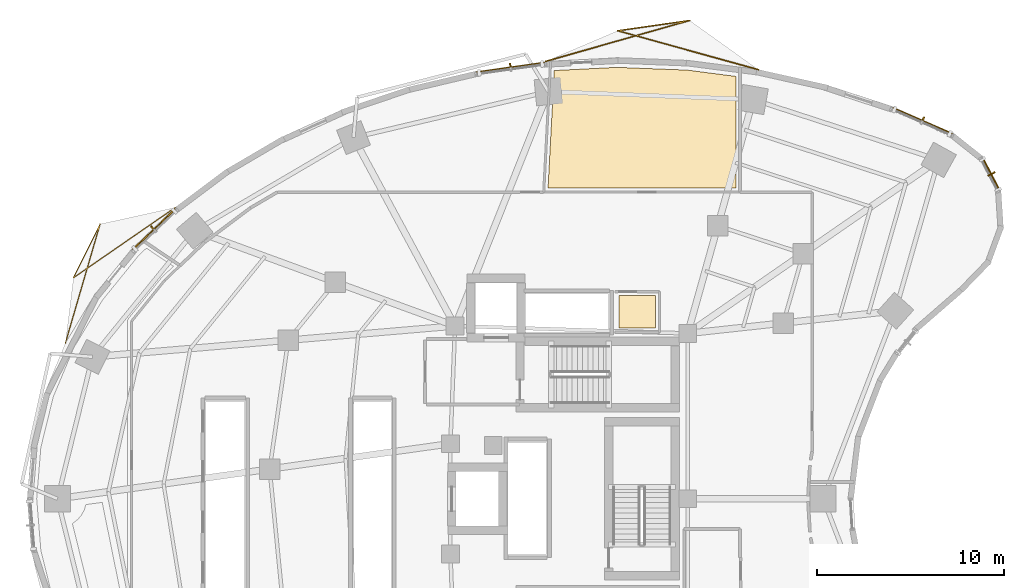
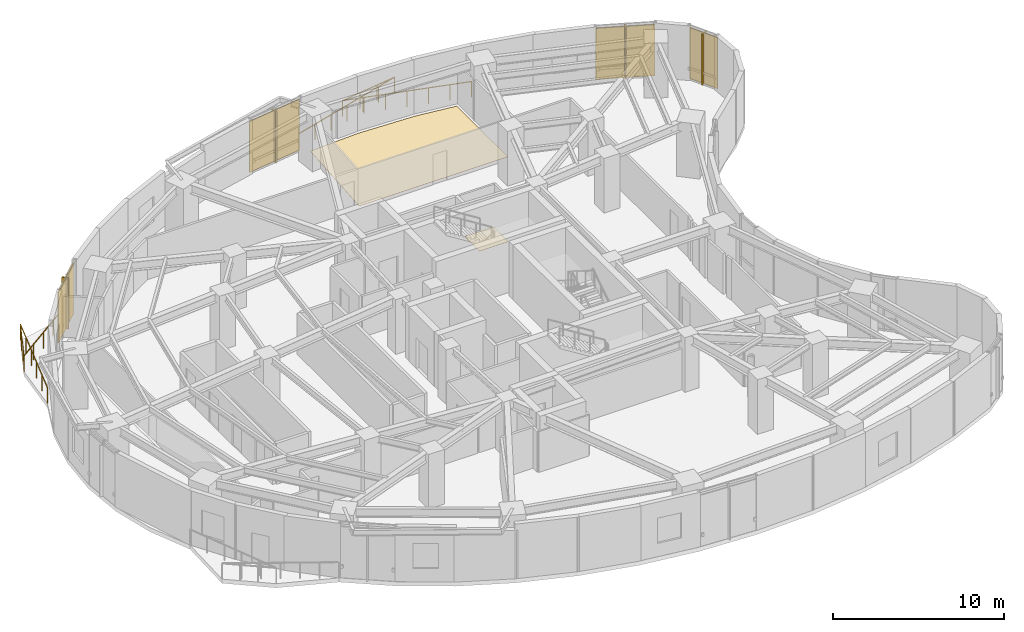
# One storey, part 14 of 14: 8 shading devices, 2 coverings, 2 railings.
"""IFC4 building model written with IfcOpenShell, lengths in metres."""

from ifc_helpers import new_model, si_unit, direction, frame, origin, origin_2d, place, context, subcontext, project, spatial, polyline, rectangle, outline, extrude, material, layer, layer_set, type_object, element, save


model = new_model("IFC4")

# Units and contexts
model_context = context("Model", 3, precision=1e-05, world=origin(), true_north=direction((0.0, 1.0)))
body_context = subcontext(model_context, "Body", "Model", "MODEL_VIEW")
ifc_project = project(units=[si_unit("LENGTHUNIT", "METRE"), si_unit("AREAUNIT", "SQUARE_METRE"), si_unit("VOLUMEUNIT", "CUBIC_METRE"), si_unit("PLANEANGLEUNIT", "RADIAN"), si_unit("MASSUNIT", "GRAM", prefix="KILO")], contexts=[model_context])

# Site, building, storey
site_placement = place(None, origin())
site = spatial("IfcSite", under=ifc_project, at=site_placement, CompositionType="ELEMENT")
building_placement = place(site_placement, origin())
building = spatial("IfcBuilding", under=site, at=building_placement, Name="Korentha Bioscience Tower", CompositionType="ELEMENT")
storey_placement = place(building_placement, frame((0.0, 0.0, 63.60009765625)))
storey = spatial("IfcBuildingStorey", under=building, at=storey_placement, Name="L14", CompositionType="ELEMENT", Elevation=63.60009765625)

# Covering
ifc_material_1 = material(Name="Vitrified Porcelain Tile", Category="ceramic")
ifc_layer_1 = layer(ifc_material_1, 0.014892578125, Name="Vitrified Porcelain Tile")
ifc_layer_set_1 = layer_set([ifc_layer_1], Name="Vitrified Porcelain Tile (FL-CER)")
covering_type_1 = type_object("IfcCoveringType", Name="Anti-Slip Ceramic Wet-Room Tile Flooring 15", PredefinedType="FLOORING", material=ifc_layer_set_1)
covering_1_placement = place(storey_placement, origin())
element("IfcCovering", 1, at=covering_1_placement, inside=storey, type_object=covering_type_1, Name="L14 Accessible Staff WC Floor Finish", PredefinedType="FLOORING", context=body_context, shape_type="SweptSolid", body=[
    extrude(outline(polyline([(33.8701171875, 37.8701171875), (35.820068359375, 37.869873046875), (35.820068359375, 36.1298828125), (33.8701171875, 36.1298828125), (33.8701171875, 37.8701171875)])), origin(), (0.0, 0.0, 1.0), 0.014892578125),
])

# Railings
ifc_material_2 = material(Name="Laminated Tempered Safety Glass", Category="glass")
railing_type = type_object("IfcRailingType", Name="Laminated Glass Balcony Guardrail 1150", PredefinedType="BALUSTRADE", material=ifc_material_2)
railing_1_placement = place(storey_placement, frame((41.33349609375, 49.9638671875, 0.0)))
element("IfcRailing", 2, at=railing_1_placement, inside=storey, type_object=railing_type, Name="L14 Balcony Guardrail 01", PredefinedType="BALUSTRADE", context=body_context, shape_type="SweptSolid", body=[
    extrude(rectangle(XDim=0.048095703125, YDim=0.048095703125, at=origin_2d()), frame((0.0, 0.0, 1.1259765625), z_axis=(-0.963705393493, 0.266968002864, 0.0), x_axis=(-0.266968002864, -0.963705393493, 0.0)), (0.0, 0.0, 1.0), 7.80712890625),
    extrude(rectangle(XDim=0.048095703125, YDim=0.048095703125, at=origin_2d()), frame((-7.523681640625, 2.084228515625, 1.1259765625), z_axis=(0.989867578194, 0.141993583099, 0.0), x_axis=(-0.141993583099, 0.989867578194, 0.0)), (0.0, 0.0, 1.0), 3.88232421875),
    extrude(rectangle(XDim=0.048095703125, YDim=0.048095703125, at=origin_2d()), frame((-3.6806640625, 2.635498046875, 1.1259765625), z_axis=(-0.961886221557, -0.27344998954, 0.0), x_axis=(0.27344998954, -0.961886221557, 0.0)), (0.0, 0.0, 1.0), 8.017578125),
    extrude(rectangle(XDim=0.0419921875, YDim=0.0419921875, at=origin_2d()), origin(), (0.0, 0.0, 1.0), 1.101806640625),
    extrude(rectangle(XDim=0.0419921875, YDim=0.0419921875, at=origin_2d()), frame((-1.25390625, 0.347412109375, 0.0)), (0.0, 0.0, 1.0), 1.101806640625),
    extrude(rectangle(XDim=0.0419921875, YDim=0.0419921875, at=origin_2d()), frame((-2.5078125, 0.69482421875, 0.0)), (0.0, 0.0, 1.0), 1.101806640625),
    extrude(rectangle(XDim=0.0419921875, YDim=0.0419921875, at=origin_2d()), frame((-3.76171875, 1.0419921875, 0.0)), (0.0, 0.0, 1.0), 1.101806640625),
    extrude(rectangle(XDim=0.0419921875, YDim=0.0419921875, at=origin_2d()), frame((-5.015869140625, 1.389404296875, 0.0)), (0.0, 0.0, 1.0), 1.101806640625),
    extrude(rectangle(XDim=0.0419921875, YDim=0.0419921875, at=origin_2d()), frame((-6.269775390625, 1.73681640625, 0.0)), (0.0, 0.0, 1.0), 1.101806640625),
    extrude(rectangle(XDim=0.0419921875, YDim=0.0419921875, at=origin_2d()), frame((-7.523681640625, 2.084228515625, 0.0)), (0.0, 0.0, 1.0), 1.101806640625),
    extrude(rectangle(XDim=0.0419921875, YDim=0.0419921875, at=origin_2d()), frame((-6.24267578125, 2.26806640625, 0.0)), (0.0, 0.0, 1.0), 1.101806640625),
    extrude(rectangle(XDim=0.0419921875, YDim=0.0419921875, at=origin_2d()), frame((-4.961669921875, 2.45166015625, 0.0)), (0.0, 0.0, 1.0), 1.101806640625),
    extrude(rectangle(XDim=0.0419921875, YDim=0.0419921875, at=origin_2d()), frame((-3.6806640625, 2.635498046875, 0.0)), (0.0, 0.0, 1.0), 1.101806640625),
    extrude(rectangle(XDim=0.0419921875, YDim=0.0419921875, at=origin_2d()), frame((-4.966064453125, 2.27001953125, 0.0)), (0.0, 0.0, 1.0), 1.101806640625),
    extrude(rectangle(XDim=0.0419921875, YDim=0.0419921875, at=origin_2d()), frame((-6.251220703125, 1.90478515625, 0.0)), (0.0, 0.0, 1.0), 1.101806640625),
    extrude(rectangle(XDim=0.0419921875, YDim=0.0419921875, at=origin_2d()), frame((-7.53662109375, 1.539306640625, 0.0)), (0.0, 0.0, 1.0), 1.101806640625),
    extrude(rectangle(XDim=0.0419921875, YDim=0.0419921875, at=origin_2d()), frame((-8.822021484375, 1.173828125, 0.0)), (0.0, 0.0, 1.0), 1.101806640625),
    extrude(rectangle(XDim=0.0419921875, YDim=0.0419921875, at=origin_2d()), frame((-10.107177734375, 0.80859375, 0.0)), (0.0, 0.0, 1.0), 1.101806640625),
    extrude(rectangle(XDim=0.0419921875, YDim=0.0419921875, at=origin_2d()), frame((-11.392578125, 0.443115234375, 0.0)), (0.0, 0.0, 1.0), 1.101806640625),
])
railing_2_placement = place(storey_placement, frame((10.1220703125, 42.58642578125, 0.0)))
element("IfcRailing", 3, at=railing_2_placement, inside=storey, type_object=railing_type, Name="L14 Balcony Guardrail 02", PredefinedType="BALUSTRADE", context=body_context, shape_type="SweptSolid", body=[
    extrude(rectangle(XDim=0.048095703125, YDim=0.048095703125, at=origin_2d()), frame((0.0, 0.0, 1.1259765625), z_axis=(-0.822966359842, -0.56809010779, 0.0), x_axis=(0.56809010779, -0.822966359842, 0.0)), (0.0, 0.0, 1.0), 6.6123046875),
    extrude(rectangle(XDim=0.048095703125, YDim=0.048095703125, at=origin_2d()), frame((-5.441650390625, -3.75634765625, 1.1259765625), z_axis=(0.444285864543, 0.895885076651, 0.0), x_axis=(-0.895885076651, 0.444285864543, 0.0)), (0.0, 0.0, 1.0), 3.204833984375),
    extrude(rectangle(XDim=0.048095703125, YDim=0.048095703125, at=origin_2d()), frame((-4.017822265625, -0.88525390625, 1.1259765625), z_axis=(-0.2799152519, -0.960024714137, 0.0), x_axis=(0.960024714137, -0.2799152519, 0.0)), (0.0, 0.0, 1.0), 6.637451171875),
    extrude(rectangle(XDim=0.0419921875, YDim=0.0419921875, at=origin_2d()), origin(), (0.0, 0.0, 1.0), 1.101806640625),
    extrude(rectangle(XDim=0.0419921875, YDim=0.0419921875, at=origin_2d()), frame((-1.08837890625, -0.751220703125, 0.0)), (0.0, 0.0, 1.0), 1.101806640625),
    extrude(rectangle(XDim=0.0419921875, YDim=0.0419921875, at=origin_2d()), frame((-2.1767578125, -1.50244140625, 0.0)), (0.0, 0.0, 1.0), 1.101806640625),
    extrude(rectangle(XDim=0.0419921875, YDim=0.0419921875, at=origin_2d()), frame((-3.264892578125, -2.25390625, 0.0)), (0.0, 0.0, 1.0), 1.101806640625),
    extrude(rectangle(XDim=0.0419921875, YDim=0.0419921875, at=origin_2d()), frame((-4.353271484375, -3.005126953125, 0.0)), (0.0, 0.0, 1.0), 1.101806640625),
    extrude(rectangle(XDim=0.0419921875, YDim=0.0419921875, at=origin_2d()), frame((-5.441650390625, -3.75634765625, 0.0)), (0.0, 0.0, 1.0), 1.101806640625),
    extrude(rectangle(XDim=0.0419921875, YDim=0.0419921875, at=origin_2d()), frame((-4.967041015625, -2.79931640625, 0.0)), (0.0, 0.0, 1.0), 1.101806640625),
    extrude(rectangle(XDim=0.0419921875, YDim=0.0419921875, at=origin_2d()), frame((-4.492431640625, -1.84228515625, 0.0)), (0.0, 0.0, 1.0), 1.101806640625),
    extrude(rectangle(XDim=0.0419921875, YDim=0.0419921875, at=origin_2d()), frame((-4.017822265625, -0.88525390625, 0.0)), (0.0, 0.0, 1.0), 1.101806640625),
    extrude(rectangle(XDim=0.0419921875, YDim=0.0419921875, at=origin_2d()), frame((-4.389404296875, -2.15966796875, 0.0)), (0.0, 0.0, 1.0), 1.101806640625),
    extrude(rectangle(XDim=0.0419921875, YDim=0.0419921875, at=origin_2d()), frame((-4.760986328125, -3.43408203125, 0.0)), (0.0, 0.0, 1.0), 1.101806640625),
    extrude(rectangle(XDim=0.0419921875, YDim=0.0419921875, at=origin_2d()), frame((-5.132568359375, -4.70849609375, 0.0)), (0.0, 0.0, 1.0), 1.101806640625),
    extrude(rectangle(XDim=0.0419921875, YDim=0.0419921875, at=origin_2d()), frame((-5.504150390625, -5.98291015625, 0.0)), (0.0, 0.0, 1.0), 1.101806640625),
    extrude(rectangle(XDim=0.0419921875, YDim=0.0419921875, at=origin_2d()), frame((-5.875732421875, -7.25732421875, 0.0)), (0.0, 0.0, 1.0), 1.101806640625),
])

# Shading devices
ifc_material_3 = material(Name="Perforated Stone-Ceramic Composite", Category="masonry")
ifc_layer_2 = layer(ifc_material_3, 0.06494140625, Name="Perforated Stone-Ceramic Composite")
ifc_layer_set_2 = layer_set([ifc_layer_2], Name="Perforated Stone-Ceramic Composite (CS-01)")
shading_device_type_1 = type_object("IfcShadingDeviceType", Name="Perforated Stone-Ceramic Solar Screen Panel 65", PredefinedType="USERDEFINED", material=ifc_layer_set_2)
shading_device_1_placement = place(storey_placement, frame((50.113037109375, 47.231201171875, 0.0), z_axis=(0.0, 0.0, 1.0), x_axis=(-0.91593909057, 0.401317308828, 0.0)))
element("IfcShadingDevice", 4, at=shading_device_1_placement, inside=storey, type_object=shading_device_type_1, Name="CW-L14-01 Perforated Stone-Ceramic Solar Screen", ObjectType="SCREEN", PredefinedType="USERDEFINED", context=body_context, shape_type="SweptSolid", body=[
    extrude(rectangle(XDim=3.492431640625, YDim=0.06494140625, at=origin_2d()), origin(), (0.0, 0.0, 1.0), 3.64990234375),
])
shading_device_2_placement = place(storey_placement, frame((28.072509765625, 50.08251953125, 0.0), z_axis=(0.0, 0.0, 1.0), x_axis=(-0.990167372968, -0.139887717511, 0.0)))
element("IfcShadingDevice", 5, at=shading_device_2_placement, inside=storey, type_object=shading_device_type_1, Name="CW-L14-07 Perforated Stone-Ceramic Solar Screen", ObjectType="SCREEN", PredefinedType="USERDEFINED", context=body_context, shape_type="SweptSolid", body=[
    extrude(rectangle(XDim=3.69091796875, YDim=0.06494140625, at=origin_2d()), origin(), (0.0, 0.0, 1.0), 3.64990234375),
])
shading_device_3_placement = place(storey_placement, frame((8.989990234375, 41.424072265625, 0.0), z_axis=(0.0, 0.0, 1.0), x_axis=(-0.723641761581, -0.690175775361, 0.0)))
element("IfcShadingDevice", 6, at=shading_device_3_placement, inside=storey, type_object=shading_device_type_1, Name="CW-L14-13 Perforated Stone-Ceramic Solar Screen", ObjectType="SCREEN", PredefinedType="USERDEFINED", context=body_context, shape_type="SweptSolid", body=[
    extrude(rectangle(XDim=3.142822265625, YDim=0.06494140625, at=origin_2d()), origin(), (0.0, 0.0, 1.0), 3.64990234375),
])
shading_device_4_placement = place(storey_placement, frame((53.784912109375, 44.375732421875, 0.0), z_axis=(0.0, 0.0, 1.0), x_axis=(-0.463008597697, 0.886353788539, 0.0)))
element("IfcShadingDevice", 7, at=shading_device_4_placement, inside=storey, type_object=shading_device_type_1, Name="CW-L14-61 Perforated Stone-Ceramic Solar Screen", ObjectType="SCREEN", PredefinedType="USERDEFINED", context=body_context, shape_type="SweptSolid", body=[
    extrude(rectangle(XDim=1.927734375, YDim=0.06494140625, at=origin_2d()), origin(), (0.0, 0.0, 1.0), 3.64990234375),
])

# Covering
ifc_material_4 = material(Name="Chemical-Resistant Epoxy Resin", Category="polymer")
ifc_layer_3 = layer(ifc_material_4, 0.011962890625, Name="Chemical-Resistant Epoxy Resin")
ifc_layer_set_3 = layer_set([ifc_layer_3], Name="Chemical-Resistant Epoxy Resin (FL-EPX)")
covering_type_2 = type_object("IfcCoveringType", Name="Seamless Epoxy Laboratory Flooring 12", PredefinedType="FLOORING", material=ifc_layer_set_3)
covering_2_placement = place(storey_placement, origin())
element("IfcCovering", 8, at=covering_2_placement, inside=storey, type_object=covering_type_2, Name="L14 Research Colloquium Seminar Room 04 Floor Finish", PredefinedType="FLOORING", context=body_context, shape_type="SweptSolid", body=[
    extrude(outline(polyline([(33.756103515625, 50.0888671875), (37.5263671875, 49.942138671875), (40.1220703125, 49.606201171875), (40.1220703125, 43.6298828125), (30.075439453125, 43.6298828125), (30.407958984375, 49.919921875), (33.756103515625, 50.0888671875)])), origin(), (0.0, 0.0, 1.0), 0.011962890625),
])

# Shading devices
ifc_material_5 = material(Name="Honed Travertine Limestone", Category="masonry")
ifc_layer_4 = layer(ifc_material_5, 0.080078125, Name="Honed Travertine Limestone")
ifc_layer_set_4 = layer_set([ifc_layer_4], Name="Honed Travertine Limestone (CS-02)")
shading_device_type_2 = type_object("IfcShadingDeviceType", Name="Vertical Honed Limestone Sunshade Fin 80x420", PredefinedType="USERDEFINED", material=ifc_layer_set_4)
for number, where, z_axis, x_axis, name in (
    (9, (50.12109375, 47.24951171875, 0.0), (0.0, 0.0, 1.0), (-0.91593909057, 0.401317308828, 0.0), "CW-L14-01 Limestone Sunshade Fin"),
    (10, (28.06982421875, 50.102294921875, 0.0), (0.0, 0.0, 1.0), (-0.990167372968, -0.139887717511, 0.0), "CW-L14-07 Limestone Sunshade Fin"),
    (11, (8.976318359375, 41.4384765625, 0.0), (0.0, 0.0, 1.0), (-0.723641761581, -0.690175775361, 0.0), "CW-L14-13 Limestone Sunshade Fin"),
    (12, (53.802490234375, 44.385009765625, 0.0), (0.0, 0.0, 1.0), (-0.463008597697, 0.886353788539, 0.0), "CW-L14-61 Limestone Sunshade Fin"),
):
    element("IfcShadingDevice", number, at=place(storey_placement, frame(where, z_axis=z_axis, x_axis=x_axis)), inside=storey, type_object=shading_device_type_2, Name=name, ObjectType="SCREEN", PredefinedType="USERDEFINED", context=body_context, shape_type="SweptSolid", body=[
        extrude(rectangle(XDim=0.080078125, YDim=0.419921875, at=origin_2d()), origin(), (0.0, 0.0, 1.0), 3.64990234375),
    ])

save(model, "model.ifc")
